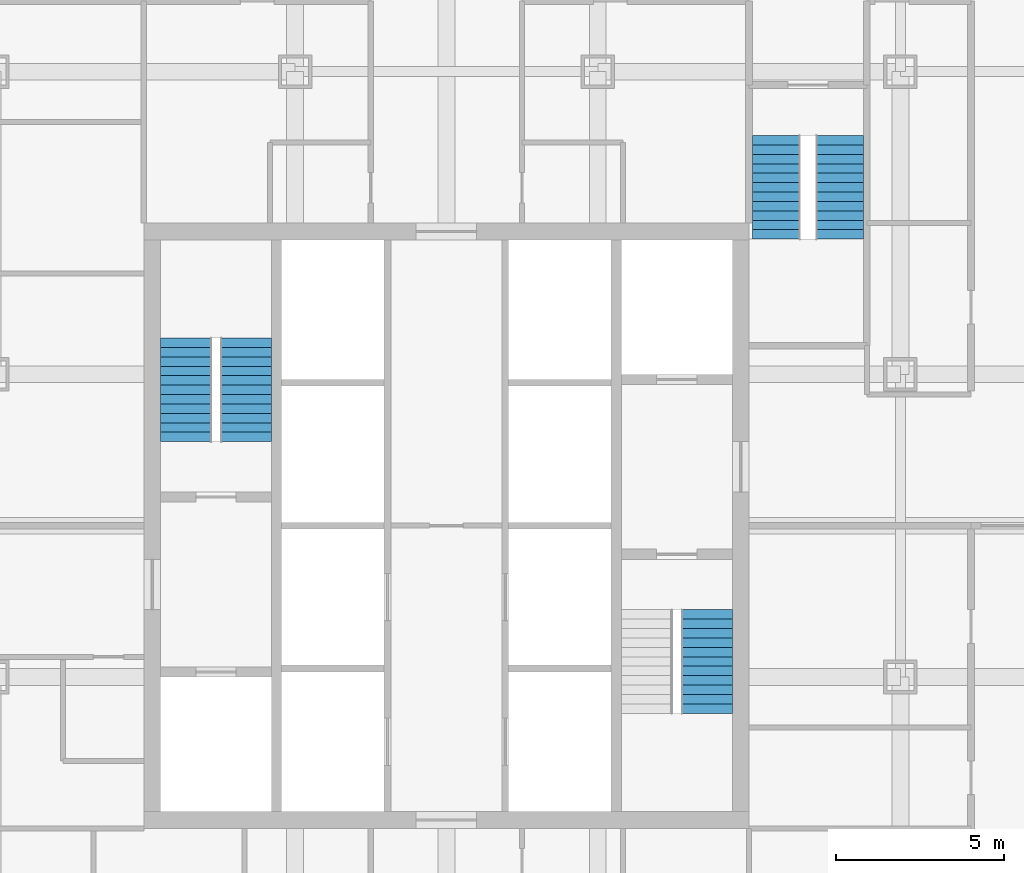
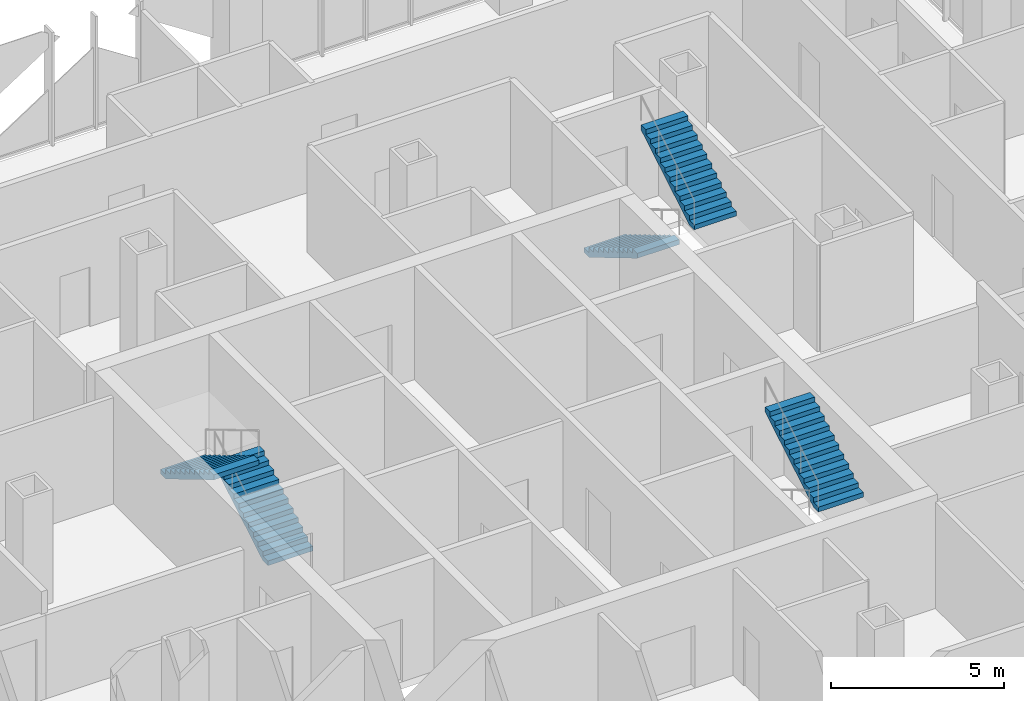
# One storey, part 13 of 16: 5 stair flights, 3 elements without a shape of their own.
"""IFC4 building model written with IfcOpenShell, lengths in metres."""

from ifc_helpers import new_model, si_unit, direction, frame, origin, place, context, subcontext, project, spatial, polyline, outline, extrude, material, type_object, element, aggregate, save


model = new_model("IFC4")

# Units and contexts
model_context = context("Model", 3, precision=1e-05, world=origin(), true_north=direction((0.0, 1.0)))
body_context = subcontext(model_context, "Body", "Model", "MODEL_VIEW")
ifc_project = project(units=[si_unit("LENGTHUNIT", "METRE"), si_unit("AREAUNIT", "SQUARE_METRE"), si_unit("VOLUMEUNIT", "CUBIC_METRE"), si_unit("PLANEANGLEUNIT", "RADIAN"), si_unit("MASSUNIT", "GRAM", prefix="KILO")], contexts=[model_context])

# Site, building, storey
site_placement = place(None, origin())
site = spatial("IfcSite", under=ifc_project, at=site_placement, CompositionType="ELEMENT")
building_placement = place(site_placement, origin())
building = spatial("IfcBuilding", under=site, at=building_placement, Name="Malebo Sky Hospital", CompositionType="ELEMENT")
storey_placement = place(building_placement, frame((0.0, 0.0, 152.0)))
storey = spatial("IfcBuildingStorey", under=building, at=storey_placement, Name="L36", CompositionType="ELEMENT", Elevation=152.0)

# Stair, stair flights
ifc_material = material(Name="Concrete C40/50", Category="concrete")
stair_type_1 = type_object("IfcStairType", Name="HALF-TURN STAIR 1400 R167", PredefinedType="HALF_TURN_STAIR", material=ifc_material)
stair_1_placement = place(storey_placement, origin())
stair_1 = element("IfcStair", 1, at=stair_1_placement, inside=storey, type_object=stair_type_1, Name="Stair S3 L36 type ST1B", PredefinedType="HALF_TURN_STAIR")
stair_flight_type_1 = type_object("IfcStairFlightType", Name="STAIR FLIGHT 1400 R167", PredefinedType="STRAIGHT", material=ifc_material)
stair_flight_1_placement = place(storey_placement, frame((69.800048828125, 73.60009765625, 0.0), z_axis=(0.0, 0.0, 1.0), x_axis=(0.0, -1.0, 0.0)))
stair_flight_1 = element("IfcStairFlight", 2, at=stair_flight_1_placement, type_object=stair_flight_type_1, Name="S3 flight 1 type SF1B", NumberOfRisers=12, NumberOfTreads=11, PredefinedType="STRAIGHT", RiserHeight=0.166666667, TreadLength=0.28, context=body_context, shape_type="SweptSolid", body=[
    extrude(outline(polyline([(0.0, 0.0), (0.0, 0.166748046875), (0.280029296875, 0.166748046875), (0.280029296875, 0.333251953125), (0.56005859375, 0.333251953125), (0.56005859375, 0.5), (0.840087890625, 0.5), (0.840087890625, 0.666748046875), (1.1201171875, 0.666748046875), (1.1201171875, 0.833251953125), (1.39990234375, 0.833251953125), (1.39990234375, 1.0), (1.679931640625, 1.0), (1.679931640625, 1.166748046875), (1.9599609375, 1.166748046875), (1.9599609375, 1.333251953125), (2.239990234375, 1.333251953125), (2.239990234375, 1.5), (2.52001953125, 1.5), (2.52001953125, 1.666748046875), (2.800048828125, 1.666748046875), (2.800048828125, 1.833251953125), (3.080078125, 1.833251953125), (3.080078125, 2.0), (3.080078125, 1.658935546875), (0.29296875, 0.0), (0.0, 0.0)])), frame((0.0, 0.699951171875, 0.0), z_axis=(0.0, -1.0, 0.0), x_axis=(1.0, 0.0, 0.0)), (0.0, 0.0, 1.0), 1.39990234375),
])
stair_flight_2_placement = place(storey_placement, frame((71.699951171875, 70.52001953125, 2.0), z_axis=(0.0, 0.0, 1.0), x_axis=(0.0, 1.0, 0.0)))
stair_flight_2 = element("IfcStairFlight", 3, at=stair_flight_2_placement, type_object=stair_flight_type_1, Name="S3 flight 2 type SF1B", NumberOfRisers=12, NumberOfTreads=11, PredefinedType="STRAIGHT", RiserHeight=0.166666667, TreadLength=0.28, context=body_context, shape_type="SweptSolid", body=[
    extrude(outline(polyline([(0.0, 0.0), (0.0, 0.166748046875), (0.280029296875, 0.166748046875), (0.280029296875, 0.333251953125), (0.56005859375, 0.333251953125), (0.56005859375, 0.5), (0.840087890625, 0.5), (0.840087890625, 0.666748046875), (1.1201171875, 0.666748046875), (1.1201171875, 0.833251953125), (1.39990234375, 0.833251953125), (1.39990234375, 1.0), (1.679931640625, 1.0), (1.679931640625, 1.166748046875), (1.9599609375, 1.166748046875), (1.9599609375, 1.333251953125), (2.239990234375, 1.333251953125), (2.239990234375, 1.5), (2.52001953125, 1.5), (2.52001953125, 1.666748046875), (2.800048828125, 1.666748046875), (2.800048828125, 1.833251953125), (3.080078125, 1.833251953125), (3.080078125, 2.0), (3.080078125, 1.658935546875), (0.29296875, 0.0), (0.0, 0.0)])), frame((0.0, 0.699951171875, 0.0), z_axis=(0.0, -1.0, 0.0), x_axis=(1.0, 0.0, 0.0)), (0.0, 0.0, 1.0), 1.39990234375),
])
aggregate(stair_1, [stair_flight_1, stair_flight_2])

stair_type_2 = type_object("IfcStairType", Name="HALF-TURN STAIR 1500 R167", PredefinedType="HALF_TURN_STAIR", material=ifc_material)
stair_2_placement = place(storey_placement, origin())
stair_2 = element("IfcStair", 4, at=stair_2_placement, inside=storey, type_object=stair_type_2, Name="Stair S1 L36 type ST1", PredefinedType="HALF_TURN_STAIR")
stair_flight_type_2 = type_object("IfcStairFlightType", Name="STAIR FLIGHT 1500 R167", PredefinedType="STRAIGHT", material=ifc_material)
stair_flight_3_placement = place(storey_placement, frame((54.050048828125, 64.5, 0.0), z_axis=(0.0, 0.0, 1.0), x_axis=(0.0, 1.0, 0.0)))
stair_flight_3 = element("IfcStairFlight", 5, at=stair_flight_3_placement, type_object=stair_flight_type_2, Name="S1 flight 1 type SF1", NumberOfRisers=12, NumberOfTreads=11, PredefinedType="STRAIGHT", RiserHeight=0.166666667, TreadLength=0.28, context=body_context, shape_type="SweptSolid", body=[
    extrude(outline(polyline([(0.0, 0.0), (0.0, 0.166748046875), (0.280029296875, 0.166748046875), (0.280029296875, 0.333251953125), (0.56005859375, 0.333251953125), (0.56005859375, 0.5), (0.840087890625, 0.5), (0.840087890625, 0.666748046875), (1.1201171875, 0.666748046875), (1.1201171875, 0.833251953125), (1.39990234375, 0.833251953125), (1.39990234375, 1.0), (1.679931640625, 1.0), (1.679931640625, 1.166748046875), (1.9599609375, 1.166748046875), (1.9599609375, 1.333251953125), (2.239990234375, 1.333251953125), (2.239990234375, 1.5), (2.52001953125, 1.5), (2.52001953125, 1.666748046875), (2.800048828125, 1.666748046875), (2.800048828125, 1.833251953125), (3.080078125, 1.833251953125), (3.080078125, 2.0), (3.080078125, 1.658935546875), (0.29296875, 0.0), (0.0, 0.0)])), frame((0.0, 0.75, 0.0), z_axis=(0.0, -1.0, 0.0), x_axis=(1.0, 0.0, 0.0)), (0.0, 0.0, 1.0), 1.5),
])
stair_flight_4_placement = place(storey_placement, frame((52.25, 67.580078125, 2.0), z_axis=(0.0, 0.0, 1.0), x_axis=(0.0, -1.0, 0.0)))
stair_flight_4 = element("IfcStairFlight", 6, at=stair_flight_4_placement, type_object=stair_flight_type_2, Name="S1 flight 2 type SF1", NumberOfRisers=12, NumberOfTreads=11, PredefinedType="STRAIGHT", RiserHeight=0.166666667, TreadLength=0.28, context=body_context, shape_type="SweptSolid", body=[
    extrude(outline(polyline([(0.0, 0.0), (0.0, 0.166748046875), (0.280029296875, 0.166748046875), (0.280029296875, 0.333251953125), (0.56005859375, 0.333251953125), (0.56005859375, 0.5), (0.840087890625, 0.5), (0.840087890625, 0.666748046875), (1.1201171875, 0.666748046875), (1.1201171875, 0.833251953125), (1.39990234375, 0.833251953125), (1.39990234375, 1.0), (1.679931640625, 1.0), (1.679931640625, 1.166748046875), (1.9599609375, 1.166748046875), (1.9599609375, 1.333251953125), (2.239990234375, 1.333251953125), (2.239990234375, 1.5), (2.52001953125, 1.5), (2.52001953125, 1.666748046875), (2.800048828125, 1.666748046875), (2.800048828125, 1.833251953125), (3.080078125, 1.833251953125), (3.080078125, 2.0), (3.080078125, 1.658935546875), (0.29296875, 0.0), (0.0, 0.0)])), frame((0.0, 0.75, 0.0), z_axis=(0.0, -1.0, 0.0), x_axis=(1.0, 0.0, 0.0)), (0.0, 0.0, 1.0), 1.5),
])
aggregate(stair_2, [stair_flight_3, stair_flight_4])

# Stair, stair flight
stair_3_placement = place(storey_placement, origin())
stair_3 = element("IfcStair", 7, at=stair_3_placement, inside=storey, type_object=stair_type_2, Name="Stair S2 L36 type ST1", PredefinedType="HALF_TURN_STAIR")
stair_flight_5_placement = place(storey_placement, frame((67.75, 56.419921875, 2.0), z_axis=(0.0, 0.0, 1.0), x_axis=(0.0, 1.0, 0.0)))
stair_flight_5 = element("IfcStairFlight", 8, at=stair_flight_5_placement, type_object=stair_flight_type_2, Name="S2 flight 2 type SF1", NumberOfRisers=12, NumberOfTreads=11, PredefinedType="STRAIGHT", RiserHeight=0.166666667, TreadLength=0.28, context=body_context, shape_type="SweptSolid", body=[
    extrude(outline(polyline([(0.0, 0.0), (0.0, 0.166748046875), (0.280029296875, 0.166748046875), (0.280029296875, 0.333251953125), (0.56005859375, 0.333251953125), (0.56005859375, 0.5), (0.840087890625, 0.5), (0.840087890625, 0.666748046875), (1.1201171875, 0.666748046875), (1.1201171875, 0.833251953125), (1.39990234375, 0.833251953125), (1.39990234375, 1.0), (1.679931640625, 1.0), (1.679931640625, 1.166748046875), (1.9599609375, 1.166748046875), (1.9599609375, 1.333251953125), (2.239990234375, 1.333251953125), (2.239990234375, 1.5), (2.52001953125, 1.5), (2.52001953125, 1.666748046875), (2.800048828125, 1.666748046875), (2.800048828125, 1.833251953125), (3.080078125, 1.833251953125), (3.080078125, 2.0), (3.080078125, 1.658935546875), (0.29296875, 0.0), (0.0, 0.0)])), frame((0.0, 0.75, 0.0), z_axis=(0.0, -1.0, 0.0), x_axis=(1.0, 0.0, 0.0)), (0.0, 0.0, 1.0), 1.5),
])
aggregate(stair_3, [stair_flight_5])

save(model, "model.ifc")
